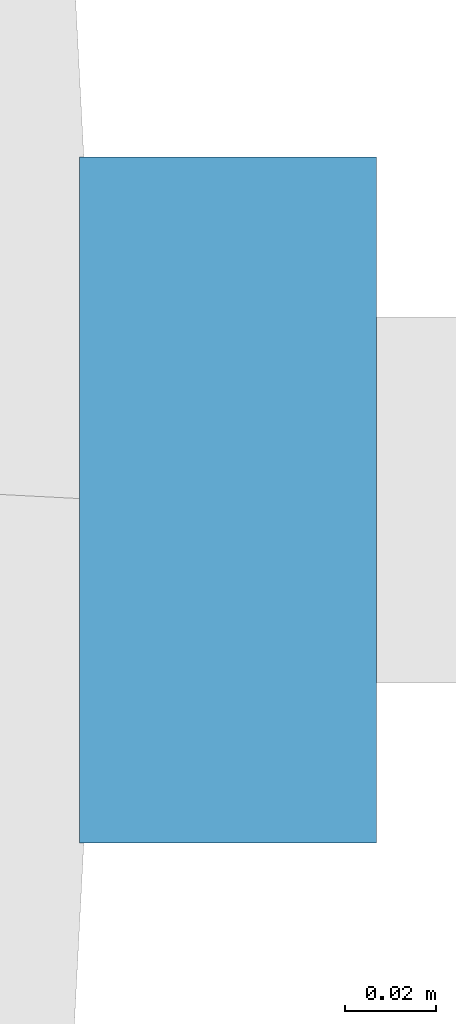
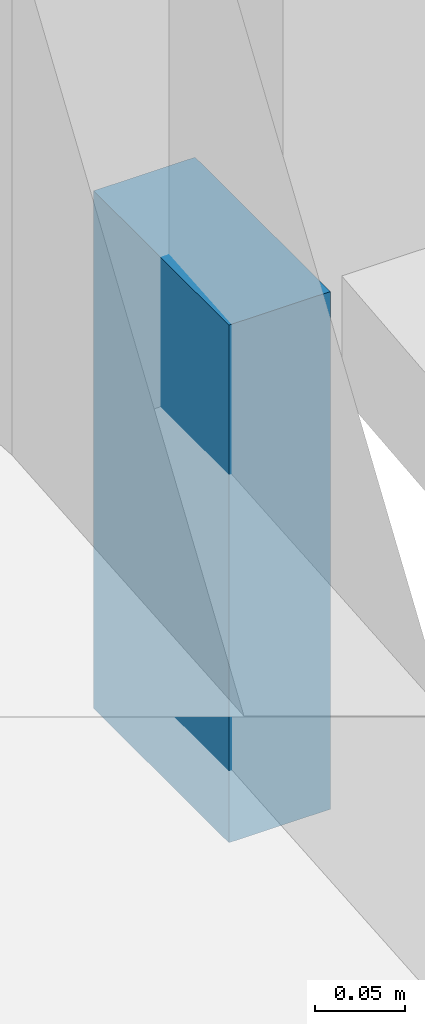
# One storey, part 16 of 20: 1 discrete accessory.
"""IFC4 building model written with IfcOpenShell, lengths in metres."""

from ifc_helpers import new_model, si_unit, direction, frame, origin, origin_2d, place, context, subcontext, project, spatial, rectangle, extrude, material, type_object, element, save


model = new_model("IFC4")

# Units and contexts
model_context = context("Model", 3, precision=1e-05, world=origin(), true_north=direction((0.0, 1.0)))
body_context = subcontext(model_context, "Body", "Model", "MODEL_VIEW")
ifc_project = project(units=[si_unit("LENGTHUNIT", "METRE"), si_unit("AREAUNIT", "SQUARE_METRE"), si_unit("VOLUMEUNIT", "CUBIC_METRE"), si_unit("PLANEANGLEUNIT", "RADIAN"), si_unit("MASSUNIT", "GRAM", prefix="KILO")], contexts=[model_context])

# Site, building, storey
site_placement = place(None, origin())
site = spatial("IfcSite", under=ifc_project, at=site_placement, CompositionType="ELEMENT")
building_placement = place(site_placement, origin())
building = spatial("IfcBuilding", under=site, at=building_placement, Name="Ghaith Harvest Tower", CompositionType="ELEMENT")
storey_placement = place(building_placement, frame((0.0, 0.0, 65.0)))
storey = spatial("IfcBuildingStorey", under=building, at=storey_placement, Name="L13", CompositionType="ELEMENT", Elevation=65.0)

# Discrete accessory
ifc_material = material(Name="Stainless steel grade 1.4401", Category="steel")
discrete_accessory_type = type_object("IfcDiscreteAccessoryType", Name="CURTAIN WALL BRACKET 65", PredefinedType="BRACKET", material=ifc_material)
discrete_accessory_placement = place(storey_placement, frame((34.152587890625, 0.0, -0.25), z_axis=(0.0, 0.0, 1.0), x_axis=(1.0, 0.0, 0.0)))
element("IfcDiscreteAccessory", 1, at=discrete_accessory_placement, inside=storey, type_object=discrete_accessory_type, Name="CW-F bracket 1 bay 01 L13", PredefinedType="BRACKET", context=body_context, shape_type="SweptSolid", body=[
    extrude(rectangle(XDim=0.06494140625, YDim=0.14990234375, at=origin_2d()), origin(), (0.0, 0.0, 1.0), 0.35009765625),
])

save(model, "model.ifc")
